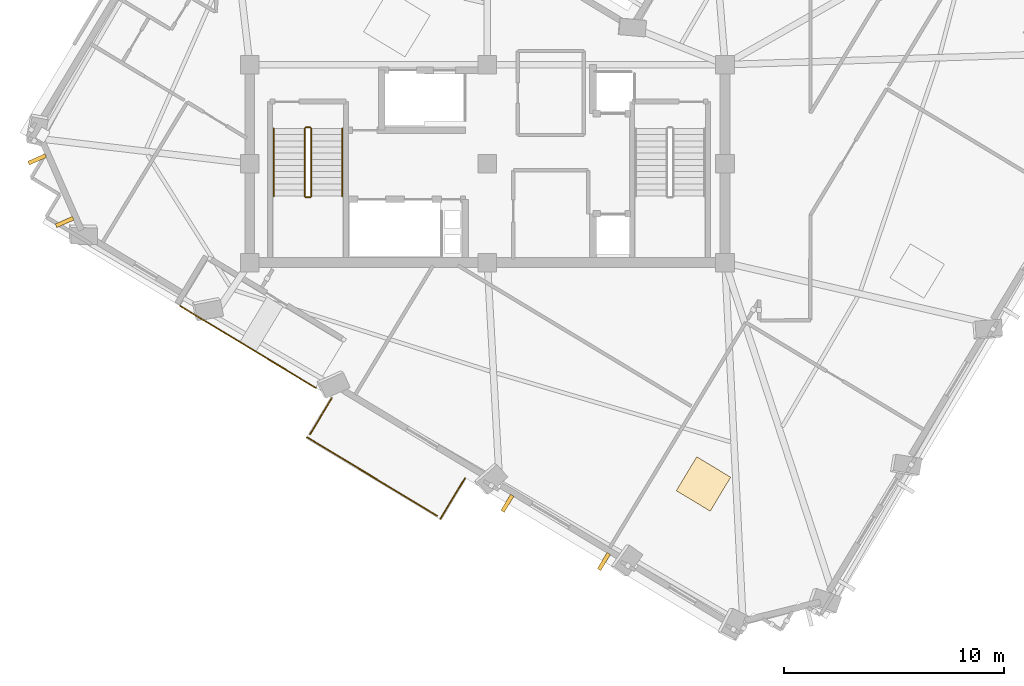
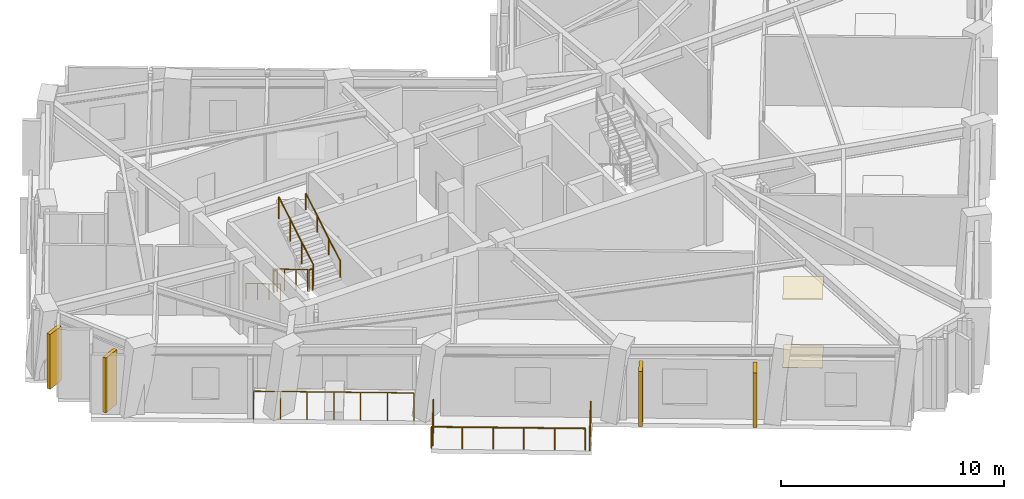
# One storey, part 9 of 12: 10 railings, 4 shading devices, 2 coverings.
"""IFC4 building model written with IfcOpenShell, lengths in metres."""

from ifc_helpers import new_model, si_unit, direction, frame, origin, origin_2d, place, context, subcontext, project, spatial, rectangle, circle, extrude, material, layer, layer_set, type_object, element, save


model = new_model("IFC4")

# Units and contexts
model_context = context("Model", 3, precision=1e-05, world=origin(), true_north=direction((0.0, 1.0)))
body_context = subcontext(model_context, "Body", "Model", "MODEL_VIEW")
ifc_project = project(units=[si_unit("LENGTHUNIT", "METRE"), si_unit("AREAUNIT", "SQUARE_METRE"), si_unit("VOLUMEUNIT", "CUBIC_METRE"), si_unit("PLANEANGLEUNIT", "RADIAN"), si_unit("MASSUNIT", "GRAM", prefix="KILO")], contexts=[model_context])

# Site, building, storey
site_placement = place(None, origin())
site = spatial("IfcSite", under=ifc_project, at=site_placement, CompositionType="ELEMENT")
building_placement = place(site_placement, origin())
building = spatial("IfcBuilding", under=site, at=building_placement, Name="Gaonmaruhae Medical Tower", CompositionType="ELEMENT")
storey_placement = place(building_placement, frame((0.0, 0.0, 276.60009765625)))
storey = spatial("IfcBuildingStorey", under=building, at=storey_placement, Name="L66", CompositionType="ELEMENT", Elevation=276.60009765625)

# Coverings
ifc_material_1 = material(Name="Acoustic mineral ceiling tile", Category="finish")
ifc_layer_1 = layer(ifc_material_1, 0.02490234375)
ifc_layer_set_1 = layer_set([ifc_layer_1], Name="Acoustic mineral ceiling tile")
covering_type_1 = type_object("IfcCoveringType", Name="CLG-01 Antimicrobial Acoustic Mineral Ceiling", PredefinedType="CEILING", material=ifc_layer_set_1)
covering_1_placement = place(storey_placement, frame((34.619873046875, -2.25537109375, 3.7548828125), z_axis=(0.0, 0.0, 1.0), x_axis=(0.516533328867, 0.8562670846, 0.0)))
element("IfcCovering", 1, at=covering_1_placement, inside=storey, type_object=covering_type_1, Name="L66 Clinical Room Acoustic Ceiling 2", PredefinedType="CEILING", context=body_context, shape_type="SweptSolid", body=[
    extrude(rectangle(XDim=1.800048828125, YDim=1.800048828125, at=origin_2d()), origin(), (0.0, 0.0, 1.0), 0.02490234375),
])
ifc_material_2 = material(Name="Seamless clinical vinyl flooring", Category="finish")
ifc_layer_2 = layer(ifc_material_2, 0.014892578125)
ifc_layer_set_2 = layer_set([ifc_layer_2], Name="Seamless clinical vinyl flooring")
covering_type_2 = type_object("IfcCoveringType", Name="FLR-01 Seamless Clinical Antistatic Vinyl Flooring", PredefinedType="FLOORING", material=ifc_layer_set_2)
covering_2_placement = place(storey_placement, frame((34.619873046875, -2.25537109375, 0.0), z_axis=(0.0, 0.0, 1.0), x_axis=(0.516533328867, 0.8562670846, 0.0)))
element("IfcCovering", 2, at=covering_2_placement, inside=storey, type_object=covering_type_2, Name="L66 Clinical Room Vinyl Flooring 2", PredefinedType="FLOORING", context=body_context, shape_type="SweptSolid", body=[
    extrude(rectangle(XDim=1.800048828125, YDim=1.800048828125, at=origin_2d()), origin(), (0.0, 0.0, 1.0), 0.014892578125),
])

# Railings
ifc_material_3 = material(Name="Stainless steel 316L and laminated safety glass", Category="steel")
ifc_layer_3 = layer(ifc_material_3, 0.080078125)
ifc_layer_set_3 = layer_set([ifc_layer_3], Name="Stainless steel 316L and laminated safety glass")
railing_type_1 = type_object("IfcRailingType", Name="GD-120 Outdoor Terrace Safety Glass & Steel Balustrade", PredefinedType="BALUSTRADE", material=ifc_layer_set_3)
railing_1_placement = place(storey_placement, frame((23.776123046875, -1.997314453125, 0.0)))
element("IfcRailing", 3, at=railing_1_placement, inside=storey, type_object=railing_type_1, Name="L66 Perimeter Slab Edge Safety Balustrade 04", PredefinedType="BALUSTRADE", context=body_context, shape_type="SweptSolid", body=[
    extrude(circle(Radius=0.02392578125, at=origin_2d()), frame((0.0, 0.0, 1.17578125), z_axis=(-0.516439232503, -0.856323840105, 0.0), x_axis=(0.856323840105, -0.516439232503, 0.0)), (0.0, 0.0, 1.0), 2.159912109375),
    extrude(circle(Radius=0.02099609375, at=origin_2d()), origin(), (0.0, 0.0, 1.0), 1.15185546875),
    extrude(circle(Radius=0.02099609375, at=origin_2d()), frame((-0.5576171875, -0.9248046875, 0.0)), (0.0, 0.0, 1.0), 1.15185546875),
    extrude(circle(Radius=0.02099609375, at=origin_2d()), frame((-1.115478515625, -1.849609375, 0.0)), (0.0, 0.0, 1.0), 1.15185546875),
])
railing_2_placement = place(storey_placement, frame((22.51416015625, -3.7001953125, 0.0)))
element("IfcRailing", 4, at=railing_2_placement, inside=storey, type_object=railing_type_1, Name="L66 Perimeter Slab Edge Safety Balustrade 05", PredefinedType="BALUSTRADE", context=body_context, shape_type="SweptSolid", body=[
    extrude(circle(Radius=0.02392578125, at=origin_2d()), frame((0.0, 0.0, 1.17578125), z_axis=(-0.856268236664, 0.516531419063, 0.0), x_axis=(-0.516531419063, -0.856268236664, 0.0)), (0.0, 0.0, 1.0), 6.90869140625),
    extrude(circle(Radius=0.02099609375, at=origin_2d()), origin(), (0.0, 0.0, 1.0), 1.15185546875),
    extrude(circle(Radius=0.02099609375, at=origin_2d()), frame((-1.18310546875, 0.713623046875, 0.0)), (0.0, 0.0, 1.0), 1.15185546875),
    extrude(circle(Radius=0.02099609375, at=origin_2d()), frame((-2.3662109375, 1.427490234375, 0.0)), (0.0, 0.0, 1.0), 1.15185546875),
    extrude(circle(Radius=0.02099609375, at=origin_2d()), frame((-3.549560546875, 2.14111328125, 0.0)), (0.0, 0.0, 1.0), 1.15185546875),
    extrude(circle(Radius=0.02099609375, at=origin_2d()), frame((-4.732666015625, 2.85498046875, 0.0)), (0.0, 0.0, 1.0), 1.15185546875),
    extrude(circle(Radius=0.02099609375, at=origin_2d()), frame((-5.915771484375, 3.568603515625, 0.0)), (0.0, 0.0, 1.0), 1.15185546875),
])
railing_3_placement = place(storey_placement, frame((16.73828125, 0.00390625, 0.0)))
element("IfcRailing", 5, at=railing_3_placement, inside=storey, type_object=railing_type_1, Name="L66 Perimeter Slab Edge Safety Balustrade 06", PredefinedType="BALUSTRADE", context=body_context, shape_type="SweptSolid", body=[
    extrude(circle(Radius=0.02392578125, at=origin_2d()), frame((0.0, 0.0, 1.17578125), z_axis=(0.516549355442, 0.856257416547, 0.0), x_axis=(-0.856257416547, 0.516549355442, 0.0)), (0.0, 0.0, 1.0), 1.921630859375),
    extrude(circle(Radius=0.02099609375, at=origin_2d()), origin(), (0.0, 0.0, 1.0), 1.15185546875),
    extrude(circle(Radius=0.02099609375, at=origin_2d()), frame((0.496337890625, 0.82275390625, 0.0)), (0.0, 0.0, 1.0), 1.15185546875),
    extrude(circle(Radius=0.02099609375, at=origin_2d()), frame((0.99267578125, 1.6455078125, 0.0)), (0.0, 0.0, 1.0), 1.15185546875),
])
ifc_layer_4 = layer(ifc_material_3, 0.080078125)
ifc_layer_set_4 = layer_set([ifc_layer_4], Name="Stainless steel 316L and laminated safety glass")
railing_type_2 = type_object("IfcRailingType", Name="GD-155 Planter-Edge Raised Safety Balustrade", PredefinedType="BALUSTRADE", material=ifc_layer_set_4)
railing_4_placement = place(storey_placement, frame((10.831298828125, 5.8349609375, 0.0)))
element("IfcRailing", 6, at=railing_4_placement, inside=storey, type_object=railing_type_2, Name="L66 Terrace Safety Guard RL-SLB-L66-TER-04", PredefinedType="BALUSTRADE", context=body_context, shape_type="SweptSolid", body=[
    extrude(circle(Radius=0.02392578125, at=origin_2d()), frame((0.0, 0.0, 1.52587890625), z_axis=(0.85626678896, -0.516533818954, 0.0), x_axis=(0.516533818954, 0.85626678896, 0.0)), (0.0, 0.0, 1.0), 7.199951171875),
    extrude(circle(Radius=0.02099609375, at=origin_2d()), origin(), (0.0, 0.0, 1.0), 1.501953125),
    extrude(circle(Radius=0.02099609375, at=origin_2d()), frame((1.027587890625, -0.619873046875, 0.0)), (0.0, 0.0, 1.0), 1.501953125),
    extrude(circle(Radius=0.02099609375, at=origin_2d()), frame((2.054931640625, -1.23974609375, 0.0)), (0.0, 0.0, 1.0), 1.501953125),
    extrude(circle(Radius=0.02099609375, at=origin_2d()), frame((3.08251953125, -1.859375, 0.0)), (0.0, 0.0, 1.0), 1.501953125),
    extrude(circle(Radius=0.02099609375, at=origin_2d()), frame((4.110107421875, -2.479248046875, 0.0)), (0.0, 0.0, 1.0), 1.501953125),
    extrude(circle(Radius=0.02099609375, at=origin_2d()), frame((5.137451171875, -3.09912109375, 0.0)), (0.0, 0.0, 1.0), 1.501953125),
    extrude(circle(Radius=0.02099609375, at=origin_2d()), frame((6.1650390625, -3.718994140625, 0.0)), (0.0, 0.0, 1.0), 1.501953125),
])
ifc_material_4 = material(Name="Stainless steel 304 handrail", Category="steel")
railing_type_3 = type_object("IfcRailingType", Name="HR-092 Continuous Stainless Steel Stair Handrail", PredefinedType="HANDRAIL", material=ifc_material_4)
railing_5_placement = place(storey_placement, frame((15.10009765625, 13.89990234375, 0.16650390625)))
element("IfcRailing", 7, at=railing_5_placement, inside=storey, type_object=railing_type_3, Name="L66 ST-01 stair handrail 1", PredefinedType="HANDRAIL", context=body_context, shape_type="SweptSolid", body=[
    extrude(circle(Radius=0.02392578125, at=origin_2d()), frame((0.0, 0.0, 0.8759765625), z_axis=(0.0, -0.859260807169, 0.511537745687), x_axis=(1.0, 0.0, 0.0)), (0.0, 0.0, 1.0), 3.584228515625),
    extrude(circle(Radius=0.02099609375, at=origin_2d()), origin(), (0.0, 0.0, 1.0), 0.851806640625),
    extrude(circle(Radius=0.02099609375, at=origin_2d()), frame((0.0, -1.026611328125, 0.611083984375)), (0.0, 0.0, 1.0), 0.851806640625),
    extrude(circle(Radius=0.02099609375, at=origin_2d()), frame((0.0, -2.05322265625, 1.222412109375)), (0.0, 0.0, 1.0), 0.851806640625),
    extrude(circle(Radius=0.02099609375, at=origin_2d()), frame((0.0, -3.079833984375, 1.83349609375)), (0.0, 0.0, 1.0), 0.851806640625),
])
railing_6_placement = place(storey_placement, frame((18.199951171875, 10.820068359375, 2.16650390625)))
element("IfcRailing", 8, at=railing_6_placement, inside=storey, type_object=railing_type_3, Name="L66 ST-01 stair handrail 2", PredefinedType="HANDRAIL", context=body_context, shape_type="SweptSolid", body=[
    extrude(circle(Radius=0.02392578125, at=origin_2d()), frame((0.0, 0.0, 0.8759765625), z_axis=(0.0, 0.859260807169, 0.511537745687), x_axis=(-1.0, 0.0, 0.0)), (0.0, 0.0, 1.0), 3.584228515625),
    extrude(circle(Radius=0.02099609375, at=origin_2d()), origin(), (0.0, 0.0, 1.0), 0.851806640625),
    extrude(circle(Radius=0.02099609375, at=origin_2d()), frame((0.0, 1.026611328125, 0.611083984375)), (0.0, 0.0, 1.0), 0.851806640625),
    extrude(circle(Radius=0.02099609375, at=origin_2d()), frame((0.0, 2.05322265625, 1.222412109375)), (0.0, 0.0, 1.0), 0.851806640625),
    extrude(circle(Radius=0.02099609375, at=origin_2d()), frame((0.0, 3.079833984375, 1.83349609375)), (0.0, 0.0, 1.0), 0.851806640625),
])

# Shading devices
ifc_material_5 = material(Name="Pigmented coral precast concrete C45/55", Category="concrete")
shading_device_type = type_object("IfcShadingDeviceType", Name="SD-FIN1 Tower Vertical Coral Precast Shading Fin", PredefinedType="USERDEFINED", material=ifc_material_5)
for number, where, z_axis, x_axis, name in (
    (9, (5.59033203125, 9.6494140625, 0.13232421875), (0.0, 0.0, 1.0), (-0.401676076407, 0.915781813339, 0.0), "L66 Vertical Coral Precast Shading Fin N03"),
    (10, (4.341796875, 12.495849609375, 0.13232421875), (0.0, 0.0, 1.0), (-0.401676076407, 0.915781813339, 0.0), "L66 Vertical Coral Precast Shading Fin N03B"),
    (11, (30.096435546875, -5.78076171875, 0.13232421875), (0.0, 0.0, 1.0), (-0.8562670846, 0.516533328867, 0.0), "L66 Vertical Coral Precast Shading Fin W04"),
    (12, (25.7080078125, -3.13330078125, 0.13232421875), (0.0, 0.0, 1.0), (-0.8562670846, 0.516533328867, 0.0), "L66 Vertical Coral Precast Shading Fin W04B"),
):
    element("IfcShadingDevice", number, at=place(storey_placement, frame(where, z_axis=z_axis, x_axis=x_axis)), inside=storey, type_object=shading_device_type, Name=name, ObjectType="FIN", PredefinedType="USERDEFINED", context=body_context, shape_type="SweptSolid", body=[
        extrude(rectangle(XDim=0.179931640625, YDim=0.85009765625, at=origin_2d()), origin(), (0.0, 0.0, 1.0), 3.0),
    ])

# Railings
ifc_material_6 = material(Name="Stainless steel 304 balustrade", Category="steel")
railing_type_4 = type_object("IfcRailingType", Name="SG-112 Stair Well & Ramp Void Safety Balustrade", PredefinedType="BALUSTRADE", material=ifc_material_6)
railing_7_placement = place(storey_placement, frame((16.5, 13.89990234375, 0.16650390625)))
element("IfcRailing", 13, at=railing_7_placement, inside=storey, type_object=railing_type_4, Name="L66 ST-01 stair guard 1", PredefinedType="BALUSTRADE", context=body_context, shape_type="SweptSolid", body=[
    extrude(circle(Radius=0.02392578125, at=origin_2d()), frame((0.0, 0.0, 1.17578125), z_axis=(0.0, -0.859260807169, 0.511537745687), x_axis=(1.0, 0.0, 0.0)), (0.0, 0.0, 1.0), 3.584228515625),
    extrude(circle(Radius=0.02099609375, at=origin_2d()), origin(), (0.0, 0.0, 1.0), 1.15185546875),
    extrude(circle(Radius=0.02099609375, at=origin_2d()), frame((0.0, -1.026611328125, 0.611083984375)), (0.0, 0.0, 1.0), 1.15185546875),
    extrude(circle(Radius=0.02099609375, at=origin_2d()), frame((0.0, -2.05322265625, 1.222412109375)), (0.0, 0.0, 1.0), 1.15185546875),
    extrude(circle(Radius=0.02099609375, at=origin_2d()), frame((0.0, -3.079833984375, 1.83349609375)), (0.0, 0.0, 1.0), 1.15185546875),
])
railing_8_placement = place(storey_placement, frame((16.550048828125, 10.77001953125, 2.0)))
element("IfcRailing", 14, at=railing_8_placement, inside=storey, type_object=railing_type_4, Name="L66 ST-01 stair guard 2", PredefinedType="BALUSTRADE", context=body_context, shape_type="SweptSolid", body=[
    extrude(circle(Radius=0.02392578125, at=origin_2d()), frame((0.0, 0.0, 1.17578125), z_axis=(1.0, 0.0, 0.0), x_axis=(0.0, 1.0, 0.0)), (0.0, 0.0, 1.0), 0.199951171875),
    extrude(circle(Radius=0.02099609375, at=origin_2d()), origin(), (0.0, 0.0, 1.0), 1.15185546875),
    extrude(circle(Radius=0.02099609375, at=origin_2d()), frame((0.199951171875, 0.0, 0.0)), (0.0, 0.0, 1.0), 1.15185546875),
])
railing_9_placement = place(storey_placement, frame((16.800048828125, 10.820068359375, 2.16650390625)))
element("IfcRailing", 15, at=railing_9_placement, inside=storey, type_object=railing_type_4, Name="L66 ST-01 stair guard 3", PredefinedType="BALUSTRADE", context=body_context, shape_type="SweptSolid", body=[
    extrude(circle(Radius=0.02392578125, at=origin_2d()), frame((0.0, 0.0, 1.17578125), z_axis=(0.0, 0.859260807169, 0.511537745687), x_axis=(-1.0, 0.0, 0.0)), (0.0, 0.0, 1.0), 3.584228515625),
    extrude(circle(Radius=0.02099609375, at=origin_2d()), origin(), (0.0, 0.0, 1.0), 1.15185546875),
    extrude(circle(Radius=0.02099609375, at=origin_2d()), frame((0.0, 1.026611328125, 0.611083984375)), (0.0, 0.0, 1.0), 1.15185546875),
    extrude(circle(Radius=0.02099609375, at=origin_2d()), frame((0.0, 2.05322265625, 1.222412109375)), (0.0, 0.0, 1.0), 1.15185546875),
    extrude(circle(Radius=0.02099609375, at=origin_2d()), frame((0.0, 3.079833984375, 1.83349609375)), (0.0, 0.0, 1.0), 1.15185546875),
])
railing_10_placement = place(storey_placement, frame((16.550048828125, 13.949951171875, 0.0)))
element("IfcRailing", 16, at=railing_10_placement, inside=storey, type_object=railing_type_4, Name="L66 ST-01 stair guard 4", PredefinedType="BALUSTRADE", context=body_context, shape_type="SweptSolid", body=[
    extrude(circle(Radius=0.02392578125, at=origin_2d()), frame((0.0, 0.0, 1.17578125), z_axis=(1.0, 0.0, 0.0), x_axis=(0.0, 1.0, 0.0)), (0.0, 0.0, 1.0), 0.199951171875),
    extrude(circle(Radius=0.02099609375, at=origin_2d()), origin(), (0.0, 0.0, 1.0), 1.15185546875),
    extrude(circle(Radius=0.02099609375, at=origin_2d()), frame((0.199951171875, 0.0, 0.0)), (0.0, 0.0, 1.0), 1.15185546875),
])

save(model, "model.ifc")
